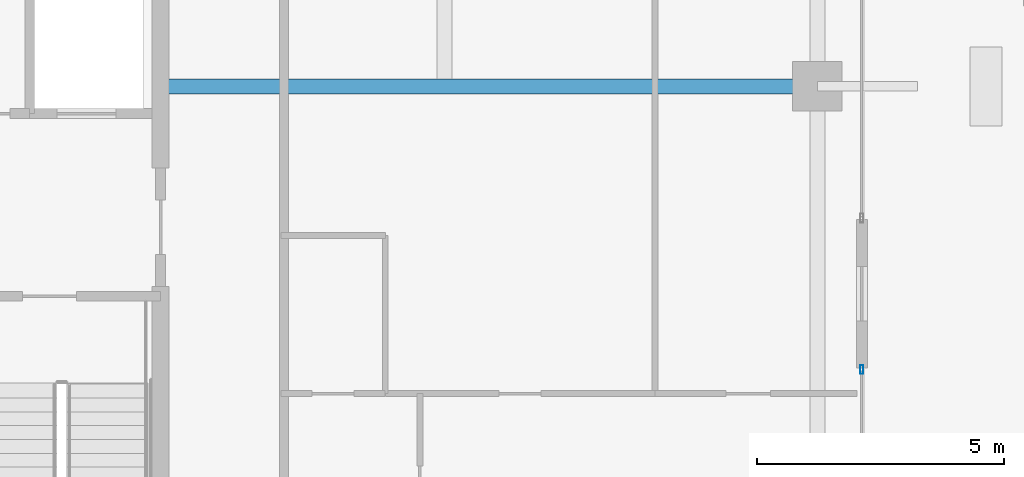
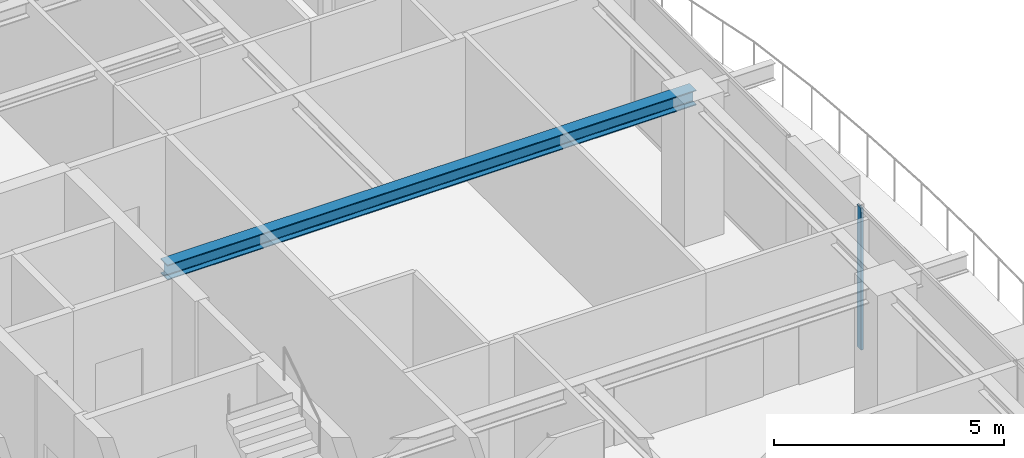
# One storey, part 16 of 41: 1 beam, 1 member, 1 element without a shape of its own.
"""IFC4 building model written with IfcOpenShell, lengths in metres."""

from ifc_helpers import new_model, si_unit, direction, frame, origin, origin_2d, place, context, subcontext, project, spatial, hollow_rectangle, i_section, extrude, source, transform, mapped, material, layer, layer_set, material_profile, profile_set, type_object, element, aggregate, save


model = new_model("IFC4")

# Units and contexts
model_context = context("Model", 3, precision=1e-05, world=origin(), true_north=direction((0.0, 1.0)))
body_context = subcontext(model_context, "Body", "Model", "MODEL_VIEW")
ifc_project = project(units=[si_unit("LENGTHUNIT", "METRE"), si_unit("AREAUNIT", "SQUARE_METRE"), si_unit("VOLUMEUNIT", "CUBIC_METRE"), si_unit("PLANEANGLEUNIT", "RADIAN"), si_unit("MASSUNIT", "GRAM", prefix="KILO")], contexts=[model_context])

# Site, building, storey
site_placement = place(None, origin())
site = spatial("IfcSite", under=ifc_project, at=site_placement, CompositionType="ELEMENT")
building_placement = place(site_placement, origin())
building = spatial("IfcBuilding", under=site, at=building_placement, Name="Serunith Strait Residences", CompositionType="ELEMENT")
storey_placement = place(building_placement, frame((0.0, 0.0, 301.550048828125)))
storey = spatial("IfcBuildingStorey", under=building, at=storey_placement, Name="L75", CompositionType="ELEMENT", Elevation=301.550048828125)

# Beam
ifc_material_1 = material(Name="Steel S355J2", Category="steel")
ifc_material_profile_1 = material_profile(ifc_material_1, i_section(OverallWidth=0.300048828125, OverallDepth=0.39990234375, WebThickness=0.013427734375, FlangeThickness=0.02392578125, FilletRadius=0.027099609375, at=origin_2d()), Name="HEB 400")
ifc_profile_set_1 = profile_set([ifc_material_profile_1], Name="Steel S355J2")
beam_type = type_object("IfcBeamType", Name="BM-HEB400", PredefinedType="BEAM", material=ifc_profile_set_1)
shared_shape_1 = source(origin(), body_context, "Body", "SweptSolid", [
    extrude(i_section(OverallWidth=0.300048828125, OverallDepth=0.39990234375, WebThickness=0.013427734375, FlangeThickness=0.02392578125, FilletRadius=0.027099609375, at=origin_2d()), origin(), (0.0, 0.0, 1.0), 13.300048828125),
])
beam_placement = place(storey_placement, frame((41.39990234375, 29.39990234375, 3.5869140625), z_axis=(1.0, 0.0, 0.0), x_axis=(0.0, 1.0, 0.0)))
element("IfcBeam", 1, at=beam_placement, inside=storey, type_object=beam_type, Name="L75 Primary Floor Girder TC-E3", PredefinedType="BEAM", context=body_context, shape_type="MappedRepresentation", body=[
    mapped(shared_shape_1, transform((0.0, 0.0, 0.0), scale=1.0)),
])

# Curtain wall, member
ifc_material_2 = material(Name="Brushed Stainless-Silver Aluminium", Category="aluminium")
ifc_layer = layer(ifc_material_2, 0.199951171875, Name="Brushed Stainless-Silver Aluminium")
ifc_layer_set = layer_set([ifc_layer], Name="Brushed Stainless-Silver Aluminium")
curtain_wall_type = type_object("IfcCurtainWallType", Name="CW-SYS5", PredefinedType="NOTDEFINED", material=ifc_layer_set)
curtain_wall_placement = place(storey_placement, origin())
curtain_wall = element("IfcCurtainWall", 2, at=curtain_wall_placement, inside=storey, type_object=curtain_wall_type, Name="L75 E Unitised Fritted Curtain Wall", PredefinedType="NOTDEFINED")
ifc_material_profile_2 = material_profile(ifc_material_2, hollow_rectangle(XDim=0.06494140625, YDim=0.179931640625, WallThickness=0.00341796875, InnerFilletRadius=0.00537109375, OuterFilletRadius=0.0087890625, at=origin_2d()), Name="ALU 180x65x3.5")
ifc_profile_set_2 = profile_set([ifc_material_profile_2], Name="Brushed Stainless-Silver Aluminium")
member_type = type_object("IfcMemberType", Name="CW-SYS5-MULL", PredefinedType="MULLION", material=ifc_profile_set_2)
shared_shape_2 = source(origin(), body_context, "Body", "SweptSolid", [
    extrude(hollow_rectangle(XDim=0.06494140625, YDim=0.179931640625, WallThickness=0.00341796875, InnerFilletRadius=0.00537109375, OuterFilletRadius=0.0087890625, at=origin_2d()), origin(), (0.0, 0.0, 1.0), 3.77490234375),
])
member_placement = place(storey_placement, frame((55.60009765625, 23.66748046875, 0.0), z_axis=(0.0, 0.0, 1.0), x_axis=(-1.0, 0.0, 0.0)))
member = element("IfcMember", 3, at=member_placement, type_object=member_type, Name="CW-5 mullion 3", PredefinedType="MULLION", context=body_context, shape_type="MappedRepresentation", body=[
    mapped(shared_shape_2, transform((0.0, 0.0, 0.0), scale=1.0)),
])
aggregate(curtain_wall, [member])

save(model, "model.ifc")
